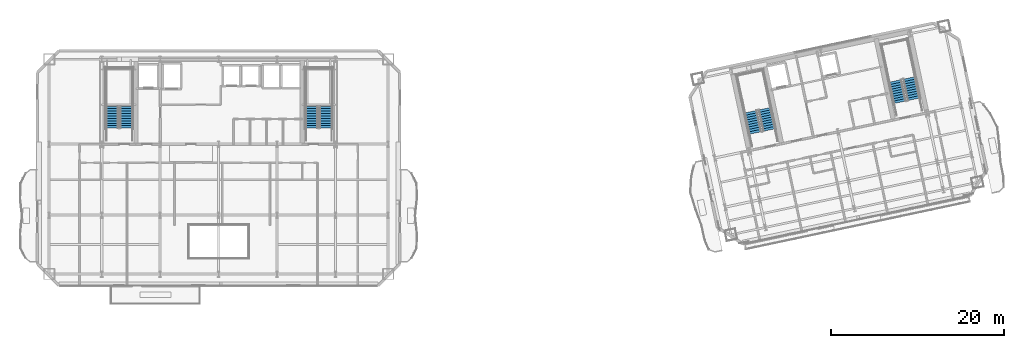
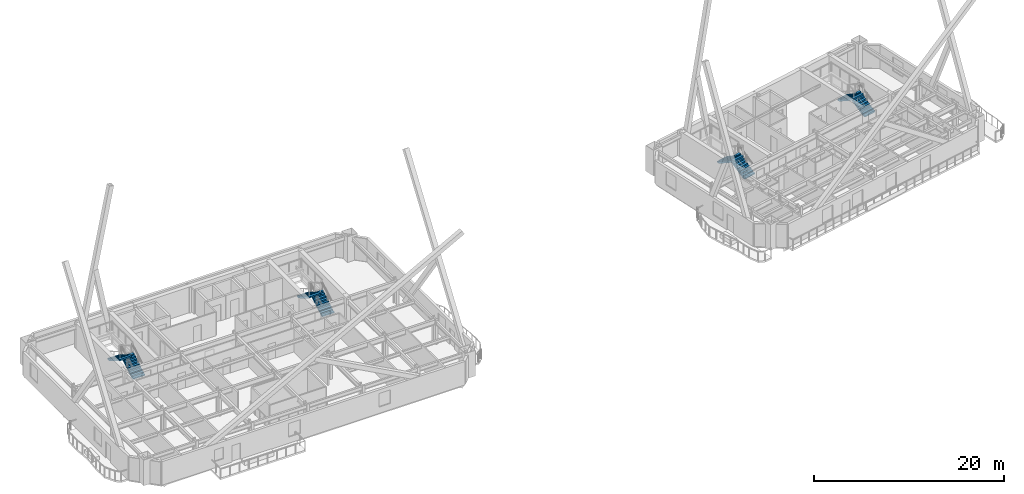
# One storey, part 14 of 19: 8 stair flights, 4 elements without a shape of their own.
"""IFC4 building model written with IfcOpenShell, lengths in metres."""

from ifc_helpers import new_model, si_unit, direction, frame, origin, place, context, subcontext, project, spatial, polyline, outline, extrude, material, type_object, element, aggregate, save


model = new_model("IFC4")

# Units and contexts
model_context = context("Model", 3, precision=1e-05, world=origin(), true_north=direction((0.0, 1.0)))
body_context = subcontext(model_context, "Body", "Model", "MODEL_VIEW")
ifc_project = project(units=[si_unit("LENGTHUNIT", "METRE"), si_unit("AREAUNIT", "SQUARE_METRE"), si_unit("VOLUMEUNIT", "CUBIC_METRE"), si_unit("PLANEANGLEUNIT", "RADIAN"), si_unit("MASSUNIT", "GRAM", prefix="KILO")], contexts=[model_context])

# Site, building, storey
site_placement = place(None, origin())
site = spatial("IfcSite", under=ifc_project, at=site_placement, CompositionType="ELEMENT")
building_placement = place(site_placement, origin())
building = spatial("IfcBuilding", under=site, at=building_placement, Name="Haevon Station Towers", CompositionType="ELEMENT")
storey_placement = place(building_placement, frame((0.0, 0.0, 156.0)))
storey = spatial("IfcBuildingStorey", under=building, at=storey_placement, Name="L42", CompositionType="ELEMENT", Elevation=156.0)

# Stair, stair flights
ifc_material = material(Name="Concrete C40/50", Category="concrete")
stair_type = type_object("IfcStairType", Name="STR-DL1450", PredefinedType="USERDEFINED", material=ifc_material)
stair_1_placement = place(storey_placement, origin())
stair_1 = element("IfcStair", 1, at=stair_1_placement, inside=storey, type_object=stair_type, Name="L42 Escape Stair ST1", ObjectType="TWO_RETURN_STAIR", PredefinedType="USERDEFINED")
stair_flight_type = type_object("IfcStairFlightType", Name="STF-ST1450", PredefinedType="STRAIGHT", material=ifc_material)
stair_flight_1_placement = place(storey_placement, frame((26.85498046875, 40.050048828125, 0.0), z_axis=(0.0, 0.0, 1.0), x_axis=(0.0, 1.0, 0.0)))
stair_flight_1 = element("IfcStairFlight", 2, at=stair_flight_1_placement, type_object=stair_flight_type, Name="L42 ST1 Flight 1", NumberOfRisers=10, NumberOfTreads=9, PredefinedType="STRAIGHT", RiserHeight=0.165, TreadLength=0.28, context=body_context, shape_type="SweptSolid", body=[
    extrude(outline(polyline([(0.0, 0.0), (0.0, 0.1650390625), (0.280029296875, 0.1650390625), (0.280029296875, 0.330078125), (0.56005859375, 0.330078125), (0.56005859375, 0.4951171875), (0.840087890625, 0.4951171875), (0.840087890625, 0.659912109375), (1.1201171875, 0.659912109375), (1.1201171875, 0.824951171875), (1.39990234375, 0.824951171875), (1.39990234375, 0.989990234375), (1.679931640625, 0.989990234375), (1.679931640625, 1.155029296875), (1.9599609375, 1.155029296875), (1.9599609375, 1.320068359375), (2.239990234375, 1.320068359375), (2.239990234375, 1.485107421875), (2.52001953125, 1.485107421875), (2.52001953125, 1.64990234375), (2.52001953125, 1.29931640625), (0.31494140625, 0.0), (0.0, 0.0)])), frame((0.0, 0.72509765625, 0.0), z_axis=(0.0, -1.0, 0.0), x_axis=(1.0, 0.0, 0.0)), (0.0, 0.0, 1.0), 1.449951171875),
])
stair_flight_2_placement = place(storey_placement, frame((25.205078125, 42.570068359375, 1.64990234375), z_axis=(0.0, 0.0, 1.0), x_axis=(0.0, -1.0, 0.0)))
stair_flight_2 = element("IfcStairFlight", 3, at=stair_flight_2_placement, type_object=stair_flight_type, Name="L42 ST1 Flight 2", NumberOfRisers=10, NumberOfTreads=9, PredefinedType="STRAIGHT", RiserHeight=0.165, TreadLength=0.28, context=body_context, shape_type="SweptSolid", body=[
    extrude(outline(polyline([(0.0, 0.0), (0.0, 0.1650390625), (0.280029296875, 0.1650390625), (0.280029296875, 0.330078125), (0.56005859375, 0.330078125), (0.56005859375, 0.4951171875), (0.840087890625, 0.4951171875), (0.840087890625, 0.659912109375), (1.1201171875, 0.659912109375), (1.1201171875, 0.824951171875), (1.39990234375, 0.824951171875), (1.39990234375, 0.989990234375), (1.679931640625, 0.989990234375), (1.679931640625, 1.155029296875), (1.9599609375, 1.155029296875), (1.9599609375, 1.320068359375), (2.239990234375, 1.320068359375), (2.239990234375, 1.485107421875), (2.52001953125, 1.485107421875), (2.52001953125, 1.64990234375), (2.52001953125, 1.29931640625), (0.31494140625, 0.0), (0.0, 0.0)])), frame((0.0, 0.72509765625, 0.0), z_axis=(0.0, -1.0, 0.0), x_axis=(1.0, 0.0, 0.0)), (0.0, 0.0, 1.0), 1.449951171875),
])
aggregate(stair_1, [stair_flight_1, stair_flight_2])

stair_2_placement = place(storey_placement, origin())
stair_2 = element("IfcStair", 4, at=stair_2_placement, inside=storey, type_object=stair_type, Name="L42 Escape Stair ST2", ObjectType="TWO_RETURN_STAIR", PredefinedType="USERDEFINED")
stair_flight_3_placement = place(storey_placement, frame((49.89501953125, 40.050048828125, 0.0), z_axis=(0.0, 0.0, 1.0), x_axis=(0.0, 1.0, 0.0)))
stair_flight_3 = element("IfcStairFlight", 5, at=stair_flight_3_placement, type_object=stair_flight_type, Name="L42 ST2 Flight 1", NumberOfRisers=10, NumberOfTreads=9, PredefinedType="STRAIGHT", RiserHeight=0.165, TreadLength=0.28, context=body_context, shape_type="SweptSolid", body=[
    extrude(outline(polyline([(0.0, 0.0), (0.0, 0.1650390625), (0.280029296875, 0.1650390625), (0.280029296875, 0.330078125), (0.56005859375, 0.330078125), (0.56005859375, 0.4951171875), (0.840087890625, 0.4951171875), (0.840087890625, 0.659912109375), (1.1201171875, 0.659912109375), (1.1201171875, 0.824951171875), (1.39990234375, 0.824951171875), (1.39990234375, 0.989990234375), (1.679931640625, 0.989990234375), (1.679931640625, 1.155029296875), (1.9599609375, 1.155029296875), (1.9599609375, 1.320068359375), (2.239990234375, 1.320068359375), (2.239990234375, 1.485107421875), (2.52001953125, 1.485107421875), (2.52001953125, 1.64990234375), (2.52001953125, 1.29931640625), (0.31494140625, 0.0), (0.0, 0.0)])), frame((0.0, 0.72509765625, 0.0), z_axis=(0.0, -1.0, 0.0), x_axis=(1.0, 0.0, 0.0)), (0.0, 0.0, 1.0), 1.449951171875),
])
stair_flight_4_placement = place(storey_placement, frame((48.2451171875, 42.570068359375, 1.64990234375), z_axis=(0.0, 0.0, 1.0), x_axis=(0.0, -1.0, 0.0)))
stair_flight_4 = element("IfcStairFlight", 6, at=stair_flight_4_placement, type_object=stair_flight_type, Name="L42 ST2 Flight 2", NumberOfRisers=10, NumberOfTreads=9, PredefinedType="STRAIGHT", RiserHeight=0.165, TreadLength=0.28, context=body_context, shape_type="SweptSolid", body=[
    extrude(outline(polyline([(0.0, 0.0), (0.0, 0.1650390625), (0.280029296875, 0.1650390625), (0.280029296875, 0.330078125), (0.56005859375, 0.330078125), (0.56005859375, 0.4951171875), (0.840087890625, 0.4951171875), (0.840087890625, 0.659912109375), (1.1201171875, 0.659912109375), (1.1201171875, 0.824951171875), (1.39990234375, 0.824951171875), (1.39990234375, 0.989990234375), (1.679931640625, 0.989990234375), (1.679931640625, 1.155029296875), (1.9599609375, 1.155029296875), (1.9599609375, 1.320068359375), (2.239990234375, 1.320068359375), (2.239990234375, 1.485107421875), (2.52001953125, 1.485107421875), (2.52001953125, 1.64990234375), (2.52001953125, 1.29931640625), (0.31494140625, 0.0), (0.0, 0.0)])), frame((0.0, 0.72509765625, 0.0), z_axis=(0.0, -1.0, 0.0), x_axis=(1.0, 0.0, 0.0)), (0.0, 0.0, 1.0), 1.449951171875),
])
aggregate(stair_2, [stair_flight_3, stair_flight_4])

stair_3_placement = place(storey_placement, origin())
stair_3 = element("IfcStair", 7, at=stair_3_placement, inside=storey, type_object=stair_type, Name="L42 Escape Stair ST3", ObjectType="TWO_RETURN_STAIR", PredefinedType="USERDEFINED")
stair_flight_5_placement = place(storey_placement, frame((101.1015625, 39.8330078125, 0.0), z_axis=(0.0, 0.0, 1.0), x_axis=(-0.207911690818, 0.978147600734, 0.0)))
stair_flight_5 = element("IfcStairFlight", 8, at=stair_flight_5_placement, type_object=stair_flight_type, Name="L42 ST3 Flight 1", NumberOfRisers=10, NumberOfTreads=9, PredefinedType="STRAIGHT", RiserHeight=0.165, TreadLength=0.28, context=body_context, shape_type="SweptSolid", body=[
    extrude(outline(polyline([(0.0, 0.0), (0.0, 0.1650390625), (0.280029296875, 0.1650390625), (0.280029296875, 0.330078125), (0.56005859375, 0.330078125), (0.56005859375, 0.4951171875), (0.840087890625, 0.4951171875), (0.840087890625, 0.659912109375), (1.1201171875, 0.659912109375), (1.1201171875, 0.824951171875), (1.39990234375, 0.824951171875), (1.39990234375, 0.989990234375), (1.679931640625, 0.989990234375), (1.679931640625, 1.155029296875), (1.9599609375, 1.155029296875), (1.9599609375, 1.320068359375), (2.239990234375, 1.320068359375), (2.239990234375, 1.485107421875), (2.52001953125, 1.485107421875), (2.52001953125, 1.64990234375), (2.52001953125, 1.29931640625), (0.31494140625, 0.0), (0.0, 0.0)])), frame((0.0, 0.72509765625, 0.0), z_axis=(0.0, -1.0, 0.0), x_axis=(1.0, 0.0, 0.0)), (0.0, 0.0, 1.0), 1.449951171875),
])
stair_flight_6_placement = place(storey_placement, frame((98.9638671875, 41.955078125, 1.64990234375), z_axis=(0.0, 0.0, 1.0), x_axis=(0.207911690818, -0.978147600734, 0.0)))
stair_flight_6 = element("IfcStairFlight", 9, at=stair_flight_6_placement, type_object=stair_flight_type, Name="L42 ST3 Flight 2", NumberOfRisers=10, NumberOfTreads=9, PredefinedType="STRAIGHT", RiserHeight=0.165, TreadLength=0.28, context=body_context, shape_type="SweptSolid", body=[
    extrude(outline(polyline([(0.0, 0.0), (0.0, 0.1650390625), (0.280029296875, 0.1650390625), (0.280029296875, 0.330078125), (0.56005859375, 0.330078125), (0.56005859375, 0.4951171875), (0.840087890625, 0.4951171875), (0.840087890625, 0.659912109375), (1.1201171875, 0.659912109375), (1.1201171875, 0.824951171875), (1.39990234375, 0.824951171875), (1.39990234375, 0.989990234375), (1.679931640625, 0.989990234375), (1.679931640625, 1.155029296875), (1.9599609375, 1.155029296875), (1.9599609375, 1.320068359375), (2.239990234375, 1.320068359375), (2.239990234375, 1.485107421875), (2.52001953125, 1.485107421875), (2.52001953125, 1.64990234375), (2.52001953125, 1.29931640625), (0.31494140625, 0.0), (0.0, 0.0)])), frame((0.0, 0.72509765625, 0.0), z_axis=(0.0, -1.0, 0.0), x_axis=(1.0, 0.0, 0.0)), (0.0, 0.0, 1.0), 1.449951171875),
])
aggregate(stair_3, [stair_flight_5, stair_flight_6])

stair_4_placement = place(storey_placement, origin())
stair_4 = element("IfcStair", 10, at=stair_4_placement, inside=storey, type_object=stair_type, Name="L42 Escape Stair ST4", ObjectType="TWO_RETURN_STAIR", PredefinedType="USERDEFINED")
stair_flight_7_placement = place(storey_placement, frame((117.788818359375, 43.380126953125, 0.0), z_axis=(0.0, 0.0, 1.0), x_axis=(-0.207911690818, 0.978147600734, 0.0)))
stair_flight_7 = element("IfcStairFlight", 11, at=stair_flight_7_placement, type_object=stair_flight_type, Name="L42 ST4 Flight 1", NumberOfRisers=10, NumberOfTreads=9, PredefinedType="STRAIGHT", RiserHeight=0.165, TreadLength=0.28, context=body_context, shape_type="SweptSolid", body=[
    extrude(outline(polyline([(0.0, 0.0), (0.0, 0.1650390625), (0.280029296875, 0.1650390625), (0.280029296875, 0.330078125), (0.56005859375, 0.330078125), (0.56005859375, 0.4951171875), (0.840087890625, 0.4951171875), (0.840087890625, 0.659912109375), (1.1201171875, 0.659912109375), (1.1201171875, 0.824951171875), (1.39990234375, 0.824951171875), (1.39990234375, 0.989990234375), (1.679931640625, 0.989990234375), (1.679931640625, 1.155029296875), (1.9599609375, 1.155029296875), (1.9599609375, 1.320068359375), (2.239990234375, 1.320068359375), (2.239990234375, 1.485107421875), (2.52001953125, 1.485107421875), (2.52001953125, 1.64990234375), (2.52001953125, 1.29931640625), (0.31494140625, 0.0), (0.0, 0.0)])), frame((0.0, 0.72509765625, 0.0), z_axis=(0.0, -1.0, 0.0), x_axis=(1.0, 0.0, 0.0)), (0.0, 0.0, 1.0), 1.449951171875),
])
stair_flight_8_placement = place(storey_placement, frame((115.65087890625, 45.501953125, 1.64990234375), z_axis=(0.0, 0.0, 1.0), x_axis=(0.207911690818, -0.978147600734, 0.0)))
stair_flight_8 = element("IfcStairFlight", 12, at=stair_flight_8_placement, type_object=stair_flight_type, Name="L42 ST4 Flight 2", NumberOfRisers=10, NumberOfTreads=9, PredefinedType="STRAIGHT", RiserHeight=0.165, TreadLength=0.28, context=body_context, shape_type="SweptSolid", body=[
    extrude(outline(polyline([(0.0, 0.0), (0.0, 0.1650390625), (0.280029296875, 0.1650390625), (0.280029296875, 0.330078125), (0.56005859375, 0.330078125), (0.56005859375, 0.4951171875), (0.840087890625, 0.4951171875), (0.840087890625, 0.659912109375), (1.1201171875, 0.659912109375), (1.1201171875, 0.824951171875), (1.39990234375, 0.824951171875), (1.39990234375, 0.989990234375), (1.679931640625, 0.989990234375), (1.679931640625, 1.155029296875), (1.9599609375, 1.155029296875), (1.9599609375, 1.320068359375), (2.239990234375, 1.320068359375), (2.239990234375, 1.485107421875), (2.52001953125, 1.485107421875), (2.52001953125, 1.64990234375), (2.52001953125, 1.29931640625), (0.31494140625, 0.0), (0.0, 0.0)])), frame((0.0, 0.72509765625, 0.0), z_axis=(0.0, -1.0, 0.0), x_axis=(1.0, 0.0, 0.0)), (0.0, 0.0, 1.0), 1.449951171875),
])
aggregate(stair_4, [stair_flight_7, stair_flight_8])

save(model, "model.ifc")
